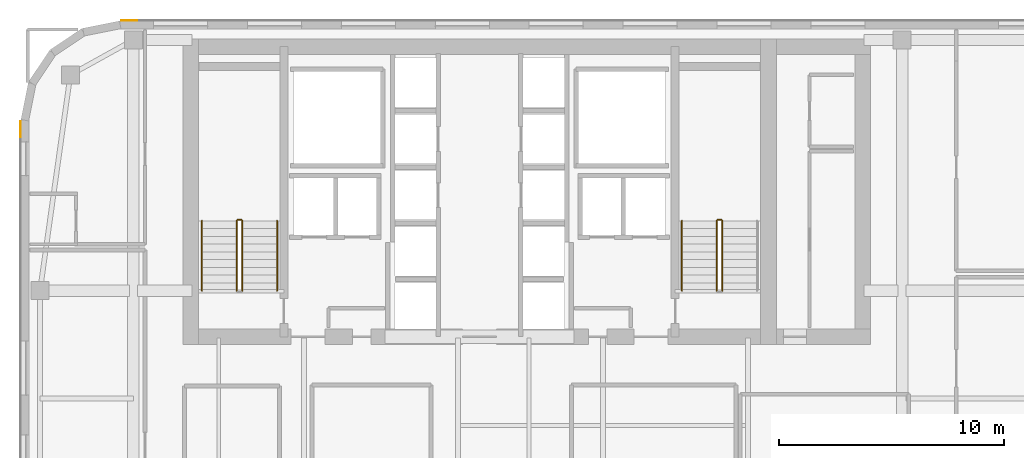
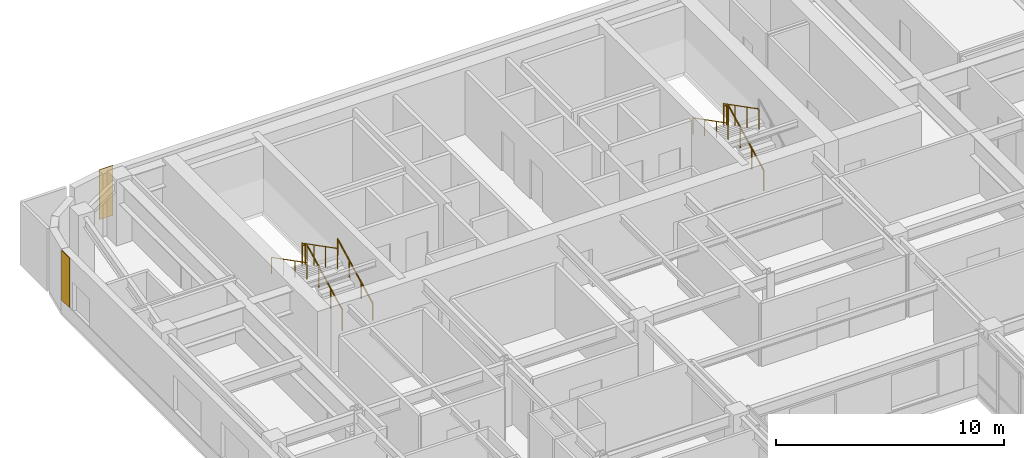
# One storey, part 19 of 20: 9 railings, 2 coverings.
"""IFC4 building model written with IfcOpenShell, lengths in metres."""

from ifc_helpers import new_model, si_unit, direction, frame, origin, origin_2d, place, context, subcontext, project, spatial, polyline, circle, outline, extrude, material, layer, layer_set, type_object, element, save


model = new_model("IFC4")

# Units and contexts
model_context = context("Model", 3, precision=1e-05, world=origin(), true_north=direction((0.0, 1.0)))
body_context = subcontext(model_context, "Body", "Model", "MODEL_VIEW")
ifc_project = project(units=[si_unit("LENGTHUNIT", "METRE"), si_unit("AREAUNIT", "SQUARE_METRE"), si_unit("VOLUMEUNIT", "CUBIC_METRE"), si_unit("PLANEANGLEUNIT", "RADIAN"), si_unit("MASSUNIT", "GRAM", prefix="KILO")], contexts=[model_context])

# Site, building, storey
site_placement = place(None, origin())
site = spatial("IfcSite", under=ifc_project, at=site_placement, CompositionType="ELEMENT")
building_placement = place(site_placement, origin())
building = spatial("IfcBuilding", under=site, at=building_placement, Name="Tolvann Quenvar Hotel", CompositionType="ELEMENT")
storey_placement = place(building_placement, frame((0.0, 0.0, 191.10009765625)))
storey = spatial("IfcBuildingStorey", under=building, at=storey_placement, Name="L50", CompositionType="ELEMENT", Elevation=191.10009765625)

# Coverings
ifc_material_1 = material(Name="Kiln-fired red architectural face brick cladding", Category="masonry")
ifc_layer = layer(ifc_material_1, 0.0400390625)
ifc_layer_set = layer_set([ifc_layer], Name="Kiln-fired red architectural face brick cladding")
covering_type = type_object("IfcCoveringType", Name="COV_CLAD_BRICK_40", PredefinedType="CLADDING", material=ifc_layer_set)
covering_1_placement = place(storey_placement, frame((0.0, 0.0, 0.699951171875)))
element("IfcCovering", 1, at=covering_1_placement, inside=storey, type_object=covering_type, Name="Brick Pier Cladding (L50-E18-P2)", PredefinedType="CLADDING", context=body_context, shape_type="SweptSolid", body=[
    extrude(outline(polyline([(7.76708984375, 46.0), (7.067138671875, 46.0), (7.067138671875, 46.0400390625), (7.76708984375, 46.0400390625), (7.76708984375, 46.0)])), origin(), (0.0, 0.0, 1.0), 2.669921875),
])
covering_2_placement = place(storey_placement, frame((0.0, 0.0, 0.699951171875)))
element("IfcCovering", 2, at=covering_2_placement, inside=storey, type_object=covering_type, Name="Brick Pier Cladding (L50-E23-P1)", PredefinedType="CLADDING", context=body_context, shape_type="SweptSolid", body=[
    extrude(outline(polyline([(2.60009765625, 41.53271484375), (2.60009765625, 40.832763671875), (2.56005859375, 40.832763671875), (2.56005859375, 41.53271484375), (2.60009765625, 41.53271484375)])), origin(), (0.0, 0.0, 1.0), 2.669921875),
])

# Railings
ifc_material_2 = material(Name="Brushed 316 stainless steel balustrade and handrail", Category="steel")
railing_type_1 = type_object("IfcRailingType", Name="GUARDRAIL", PredefinedType="GUARDRAIL", material=ifc_material_2)
railing_1_placement = place(storey_placement, frame((12.449951171875, 34.0, 0.177490234375)))
element("IfcRailing", 3, at=railing_1_placement, inside=storey, type_object=railing_type_1, Name="L50 ST-C1 stair guard 1", PredefinedType="GUARDRAIL", context=body_context, shape_type="SweptSolid", body=[
    extrude(circle(Radius=0.02392578125, at=origin_2d()), frame((0.0, 0.0, 1.09619140625), z_axis=(0.0, 0.889221982265, 0.45747597342), x_axis=(-1.0, 0.0, 0.0)), (0.0, 0.0, 1.0), 3.49169921875),
    extrude(circle(Radius=0.02099609375, at=origin_2d()), origin(), (0.0, 0.0, 1.0), 1.072021484375),
    extrude(circle(Radius=0.02099609375, at=origin_2d()), frame((0.0, 1.034912109375, 0.532470703125)), (0.0, 0.0, 1.0), 1.072021484375),
    extrude(circle(Radius=0.02099609375, at=origin_2d()), frame((0.0, 2.070068359375, 1.06494140625)), (0.0, 0.0, 1.0), 1.072021484375),
    extrude(circle(Radius=0.02099609375, at=origin_2d()), frame((0.0, 3.10498046875, 1.597412109375)), (0.0, 0.0, 1.0), 1.072021484375),
])
railing_2_placement = place(storey_placement, frame((12.39990234375, 37.155029296875, 1.77490234375)))
element("IfcRailing", 4, at=railing_2_placement, inside=storey, type_object=railing_type_1, Name="L50 ST-C1 stair guard 2", PredefinedType="GUARDRAIL", context=body_context, shape_type="SweptSolid", body=[
    extrude(circle(Radius=0.02392578125, at=origin_2d()), frame((0.0, 0.0, 1.09619140625), z_axis=(-1.0, 0.0, 0.0), x_axis=(0.0, -1.0, 0.0)), (0.0, 0.0, 1.0), 0.14990234375),
    extrude(circle(Radius=0.02099609375, at=origin_2d()), origin(), (0.0, 0.0, 1.0), 1.072021484375),
    extrude(circle(Radius=0.02099609375, at=origin_2d()), frame((-0.14990234375, 0.0, 0.0)), (0.0, 0.0, 1.0), 1.072021484375),
])
railing_3_placement = place(storey_placement, frame((12.199951171875, 37.10498046875, 1.952392578125)))
element("IfcRailing", 5, at=railing_3_placement, inside=storey, type_object=railing_type_1, Name="L50 ST-C1 stair guard 3", PredefinedType="GUARDRAIL", context=body_context, shape_type="SweptSolid", body=[
    extrude(circle(Radius=0.02392578125, at=origin_2d()), frame((0.0, 0.0, 1.09619140625), z_axis=(0.0, -0.889221982265, 0.45747597342), x_axis=(1.0, 0.0, 0.0)), (0.0, 0.0, 1.0), 3.49169921875),
    extrude(circle(Radius=0.02099609375, at=origin_2d()), origin(), (0.0, 0.0, 1.0), 1.072021484375),
    extrude(circle(Radius=0.02099609375, at=origin_2d()), frame((0.0, -1.034912109375, 0.532470703125)), (0.0, 0.0, 1.0), 1.072021484375),
    extrude(circle(Radius=0.02099609375, at=origin_2d()), frame((0.0, -2.070068359375, 1.06494140625)), (0.0, 0.0, 1.0), 1.072021484375),
    extrude(circle(Radius=0.02099609375, at=origin_2d()), frame((0.0, -3.10498046875, 1.597412109375)), (0.0, 0.0, 1.0), 1.072021484375),
])
railing_4_placement = place(storey_placement, frame((33.800048828125, 34.0, 0.177490234375)))
element("IfcRailing", 6, at=railing_4_placement, inside=storey, type_object=railing_type_1, Name="L50 ST-C2 stair guard 1", PredefinedType="GUARDRAIL", context=body_context, shape_type="SweptSolid", body=[
    extrude(circle(Radius=0.02392578125, at=origin_2d()), frame((0.0, 0.0, 1.09619140625), z_axis=(0.0, 0.889221982265, 0.45747597342), x_axis=(-1.0, 0.0, 0.0)), (0.0, 0.0, 1.0), 3.49169921875),
    extrude(circle(Radius=0.02099609375, at=origin_2d()), origin(), (0.0, 0.0, 1.0), 1.072021484375),
    extrude(circle(Radius=0.02099609375, at=origin_2d()), frame((0.0, 1.034912109375, 0.532470703125)), (0.0, 0.0, 1.0), 1.072021484375),
    extrude(circle(Radius=0.02099609375, at=origin_2d()), frame((0.0, 2.070068359375, 1.06494140625)), (0.0, 0.0, 1.0), 1.072021484375),
    extrude(circle(Radius=0.02099609375, at=origin_2d()), frame((0.0, 3.10498046875, 1.597412109375)), (0.0, 0.0, 1.0), 1.072021484375),
])
railing_5_placement = place(storey_placement, frame((33.75, 37.155029296875, 1.77490234375)))
element("IfcRailing", 7, at=railing_5_placement, inside=storey, type_object=railing_type_1, Name="L50 ST-C2 stair guard 2", PredefinedType="GUARDRAIL", context=body_context, shape_type="SweptSolid", body=[
    extrude(circle(Radius=0.02392578125, at=origin_2d()), frame((0.0, 0.0, 1.09619140625), z_axis=(-1.0, 0.0, 0.0), x_axis=(0.0, -1.0, 0.0)), (0.0, 0.0, 1.0), 0.14990234375),
    extrude(circle(Radius=0.02099609375, at=origin_2d()), origin(), (0.0, 0.0, 1.0), 1.072021484375),
    extrude(circle(Radius=0.02099609375, at=origin_2d()), frame((-0.14990234375, 0.0, 0.0)), (0.0, 0.0, 1.0), 1.072021484375),
])
railing_6_placement = place(storey_placement, frame((33.550048828125, 37.10498046875, 1.952392578125)))
element("IfcRailing", 8, at=railing_6_placement, inside=storey, type_object=railing_type_1, Name="L50 ST-C2 stair guard 3", PredefinedType="GUARDRAIL", context=body_context, shape_type="SweptSolid", body=[
    extrude(circle(Radius=0.02392578125, at=origin_2d()), frame((0.0, 0.0, 1.09619140625), z_axis=(0.0, -0.889221982265, 0.45747597342), x_axis=(1.0, 0.0, 0.0)), (0.0, 0.0, 1.0), 3.49169921875),
    extrude(circle(Radius=0.02099609375, at=origin_2d()), origin(), (0.0, 0.0, 1.0), 1.072021484375),
    extrude(circle(Radius=0.02099609375, at=origin_2d()), frame((0.0, -1.034912109375, 0.532470703125)), (0.0, 0.0, 1.0), 1.072021484375),
    extrude(circle(Radius=0.02099609375, at=origin_2d()), frame((0.0, -2.070068359375, 1.06494140625)), (0.0, 0.0, 1.0), 1.072021484375),
    extrude(circle(Radius=0.02099609375, at=origin_2d()), frame((0.0, -3.10498046875, 1.597412109375)), (0.0, 0.0, 1.0), 1.072021484375),
])
railing_type_2 = type_object("IfcRailingType", Name="HANDRAIL", PredefinedType="HANDRAIL", material=ifc_material_2)
railing_7_placement = place(storey_placement, frame((14.0, 34.0, 0.177490234375)))
element("IfcRailing", 9, at=railing_7_placement, inside=storey, type_object=railing_type_2, Name="L50 ST-C1 stair handrail 1", PredefinedType="HANDRAIL", context=body_context, shape_type="SweptSolid", body=[
    extrude(circle(Radius=0.02392578125, at=origin_2d()), frame((0.0, 0.0, 0.8759765625), z_axis=(0.0, 0.889221982265, 0.45747597342), x_axis=(-1.0, 0.0, 0.0)), (0.0, 0.0, 1.0), 3.49169921875),
    extrude(circle(Radius=0.02099609375, at=origin_2d()), origin(), (0.0, 0.0, 1.0), 0.851806640625),
    extrude(circle(Radius=0.02099609375, at=origin_2d()), frame((0.0, 1.034912109375, 0.532470703125)), (0.0, 0.0, 1.0), 0.851806640625),
    extrude(circle(Radius=0.02099609375, at=origin_2d()), frame((0.0, 2.070068359375, 1.06494140625)), (0.0, 0.0, 1.0), 0.851806640625),
    extrude(circle(Radius=0.02099609375, at=origin_2d()), frame((0.0, 3.10498046875, 1.597412109375)), (0.0, 0.0, 1.0), 0.851806640625),
])
for number, where, name in (
    (10, (10.64990234375, 37.10498046875, 1.952392578125), "L50 ST-C1 stair handrail 2"),
    (11, (32.0, 37.10498046875, 1.952392578125), "L50 ST-C2 stair handrail 2"),
):
    element("IfcRailing", number, at=place(storey_placement, frame(where)), inside=storey, type_object=railing_type_2, Name=name, PredefinedType="HANDRAIL", context=body_context, shape_type="SweptSolid", body=[
        extrude(circle(Radius=0.02392578125, at=origin_2d()), frame((0.0, 0.0, 0.8759765625), z_axis=(0.0, -0.889221982265, 0.45747597342), x_axis=(1.0, 0.0, 0.0)), (0.0, 0.0, 1.0), 3.49169921875),
        extrude(circle(Radius=0.02099609375, at=origin_2d()), origin(), (0.0, 0.0, 1.0), 0.851806640625),
        extrude(circle(Radius=0.02099609375, at=origin_2d()), frame((0.0, -1.034912109375, 0.532470703125)), (0.0, 0.0, 1.0), 0.851806640625),
        extrude(circle(Radius=0.02099609375, at=origin_2d()), frame((0.0, -2.070068359375, 1.06494140625)), (0.0, 0.0, 1.0), 0.851806640625),
        extrude(circle(Radius=0.02099609375, at=origin_2d()), frame((0.0, -3.10498046875, 1.597412109375)), (0.0, 0.0, 1.0), 0.851806640625),
    ])

save(model, "model.ifc")
